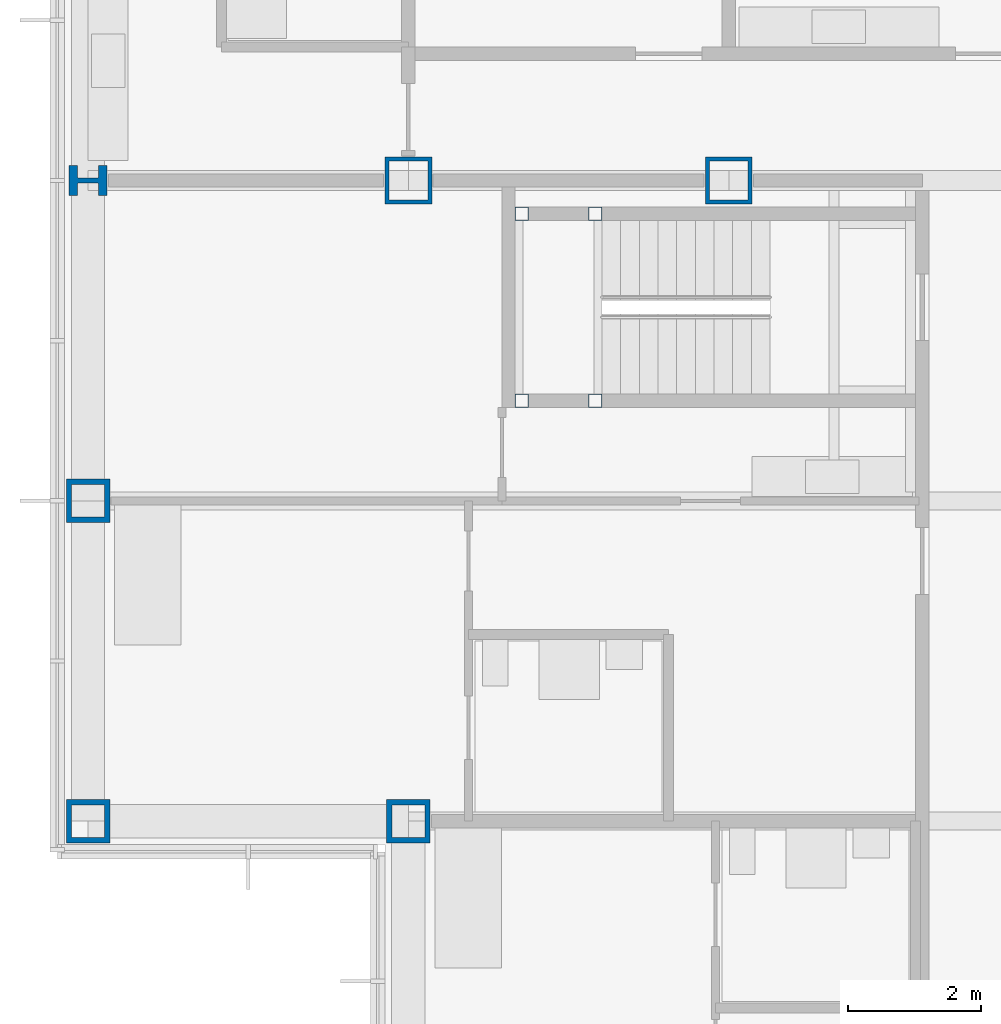
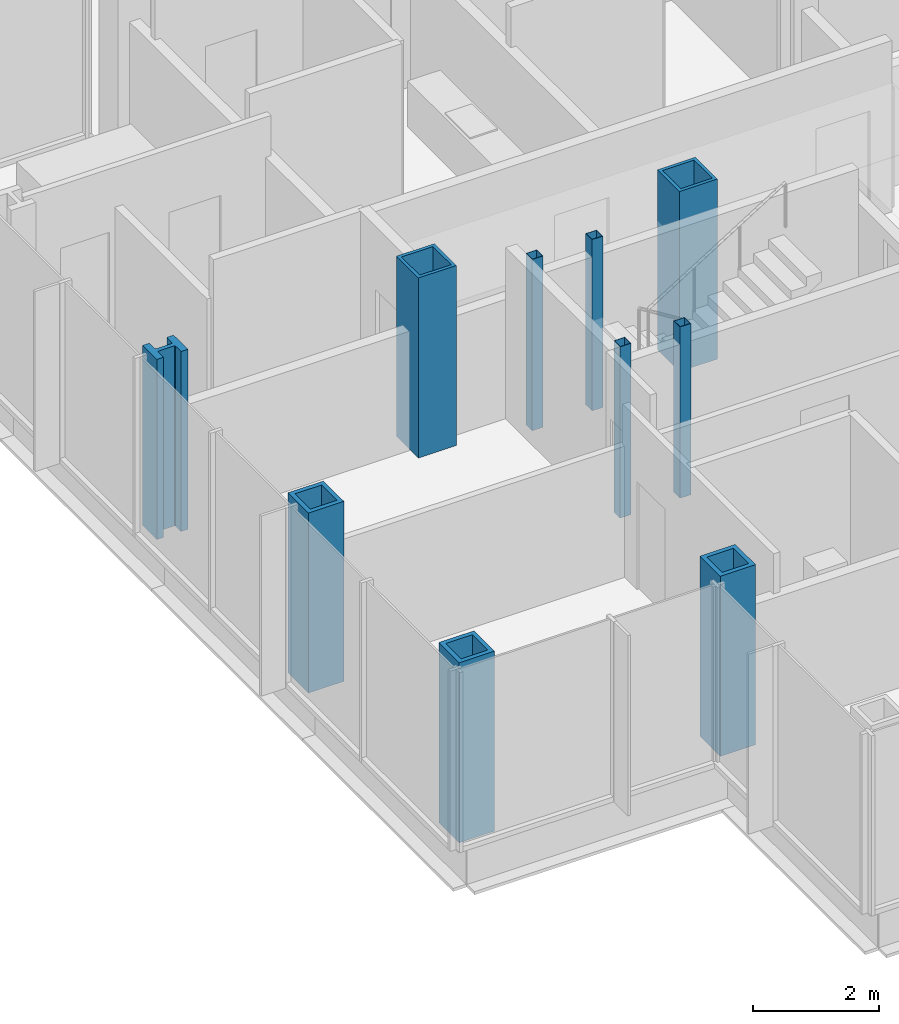
# One storey, part 3 of 19: 10 columns.
"""IFC4 building model written with IfcOpenShell, lengths in metres."""

from ifc_helpers import new_model, si_unit, direction, frame, origin, origin_2d, place, context, subcontext, project, spatial, hollow_rectangle, i_section, extrude, material, material_profile, profile_set, type_object, element, save


model = new_model("IFC4")

# Units and contexts
model_context = context("Model", 3, precision=1e-05, world=origin(), true_north=direction((0.0, 1.0)))
body_context = subcontext(model_context, "Body", "Model", "MODEL_VIEW")
ifc_project = project(units=[si_unit("LENGTHUNIT", "METRE"), si_unit("AREAUNIT", "SQUARE_METRE"), si_unit("VOLUMEUNIT", "CUBIC_METRE"), si_unit("PLANEANGLEUNIT", "RADIAN"), si_unit("MASSUNIT", "GRAM", prefix="KILO")], contexts=[model_context])

# Site, building, storey
site_placement = place(None, origin())
site = spatial("IfcSite", under=ifc_project, at=site_placement, CompositionType="ELEMENT")
building_placement = place(site_placement, origin())
building = spatial("IfcBuilding", under=site, at=building_placement, Name="Kvirike Care Tower", CompositionType="ELEMENT")
storey_placement = place(building_placement, frame((0.0, 0.0, 87.5)))
storey = spatial("IfcBuildingStorey", under=building, at=storey_placement, Name="L23", CompositionType="ELEMENT", Elevation=87.5)

# Columns
ifc_material_1 = material(Name="Steel S460", Category="steel")
ifc_material_profile_1 = material_profile(ifc_material_1, hollow_rectangle(XDim=0.64990234375, YDim=0.64990234375, WallThickness=0.080078125, at=origin_2d()), Name="BX 650x650x80")
ifc_profile_set_1 = profile_set([ifc_material_profile_1], Name="Steel S460")
column_type_1 = type_object("IfcColumnType", Name="COLUMN BX 650x650x80", PredefinedType="COLUMN", material=ifc_profile_set_1)
for number, where, z_axis, x_axis, name in (
    (1, (0.0, 33.60009765625, 0.0), (0.0, 0.0, 1.0), (0.0, 1.0, 0.0), "Column H3 L23"),
    (2, (0.0, 38.39990234375, 0.0), (0.0, 0.0, 1.0), (1.0, 0.0, 0.0), "Column J3 L23"),
    (3, (4.800048828125, 33.60009765625, 0.0), (0.0, 0.0, 1.0), (0.0, 1.0, 0.0), "Column H4 L23"),
):
    element("IfcColumn", number, at=place(storey_placement, frame(where, z_axis=z_axis, x_axis=x_axis)), inside=storey, type_object=column_type_1, Name=name, PredefinedType="COLUMN", context=body_context, shape_type="SweptSolid", body=[
        extrude(hollow_rectangle(XDim=0.64990234375, YDim=0.64990234375, WallThickness=0.080078125, at=origin_2d()), origin(), (0.0, 0.0, 1.0), 3.5),
    ])
ifc_material_2 = material(Name="Steel S460", Category="steel")
ifc_material_profile_2 = material_profile(ifc_material_2, hollow_rectangle(XDim=0.699951171875, YDim=0.699951171875, WallThickness=0.06005859375, at=origin_2d()), Name="BX 700x700x60")
ifc_profile_set_2 = profile_set([ifc_material_profile_2], Name="Steel S460")
column_type_2 = type_object("IfcColumnType", Name="COLUMN BX 700x700x60", PredefinedType="COLUMN", material=ifc_profile_set_2)
for number, where, z_axis, x_axis, name in (
    (4, (4.800048828125, 43.199951171875, 0.0), (0.0, 0.0, 1.0), (0.0, 1.0, 0.0), "Column K4 L23"),
    (5, (9.60009765625, 43.199951171875, 0.0), (0.0, 0.0, 1.0), (0.0, 1.0, 0.0), "Column K5 L23"),
):
    element("IfcColumn", number, at=place(storey_placement, frame(where, z_axis=z_axis, x_axis=x_axis)), inside=storey, type_object=column_type_2, Name=name, PredefinedType="COLUMN", context=body_context, shape_type="SweptSolid", body=[
        extrude(hollow_rectangle(XDim=0.699951171875, YDim=0.699951171875, WallThickness=0.06005859375, at=origin_2d()), origin(), (0.0, 0.0, 1.0), 3.5),
    ])
ifc_material_3 = material(Name="Steel S460", Category="steel")
ifc_material_profile_3 = material_profile(ifc_material_3, i_section(OverallWidth=0.4541015625, OverallDepth=0.569091796875, WebThickness=0.077880859375, FlangeThickness=0.125, FilletRadius=0.014892578125, at=origin_2d()), Name="HD 400x1086")
ifc_profile_set_3 = profile_set([ifc_material_profile_3], Name="Steel S460")
column_type_3 = type_object("IfcColumnType", Name="COLUMN HD 400x1086", PredefinedType="COLUMN", material=ifc_profile_set_3)
column_placement = place(storey_placement, frame((0.0, 43.199951171875, 0.0), z_axis=(0.0, 0.0, 1.0), x_axis=(0.0, 1.0, 0.0)))
element("IfcColumn", 6, at=column_placement, inside=storey, type_object=column_type_3, Name="Column K3 L23", PredefinedType="COLUMN", context=body_context, shape_type="SweptSolid", body=[
    extrude(i_section(OverallWidth=0.4541015625, OverallDepth=0.569091796875, WebThickness=0.077880859375, FlangeThickness=0.125, FilletRadius=0.014892578125, at=origin_2d()), origin(), (0.0, 0.0, 1.0), 3.5),
])
ifc_material_4 = material(Name="Steel S460", Category="steel")
ifc_material_profile_4 = material_profile(ifc_material_4, hollow_rectangle(XDim=0.199951171875, YDim=0.199951171875, WallThickness=0.008056640625, at=origin_2d()), Name="SHS 200x200x8")
ifc_profile_set_4 = profile_set([ifc_material_profile_4], Name="Steel S460")
column_type_4 = type_object("IfcColumnType", Name="STAIR POST SHS 200x200x8", PredefinedType="COLUMN", material=ifc_profile_set_4)
for number, where, z_axis, x_axis, name in (
    (7, (6.5, 42.699951171875, 0.0), (0.0, 0.0, 1.0), (1.0, 0.0, 0.0), "Stair 1 post 1 L23"),
    (8, (6.5, 39.89990234375, 0.0), (0.0, 0.0, 1.0), (1.0, 0.0, 0.0), "Stair 1 post 2 L23"),
    (9, (7.60009765625, 42.699951171875, 0.0), (0.0, 0.0, 1.0), (1.0, 0.0, 0.0), "Stair 1 post 3 L23"),
    (10, (7.60009765625, 39.89990234375, 0.0), (0.0, 0.0, 1.0), (1.0, 0.0, 0.0), "Stair 1 post 4 L23"),
):
    element("IfcColumn", number, at=place(storey_placement, frame(where, z_axis=z_axis, x_axis=x_axis)), inside=storey, type_object=column_type_4, Name=name, PredefinedType="COLUMN", context=body_context, shape_type="SweptSolid", body=[
        extrude(hollow_rectangle(XDim=0.199951171875, YDim=0.199951171875, WallThickness=0.008056640625, at=origin_2d()), origin(), (0.0, 0.0, 1.0), 3.330078125),
    ])

save(model, "model.ifc")
